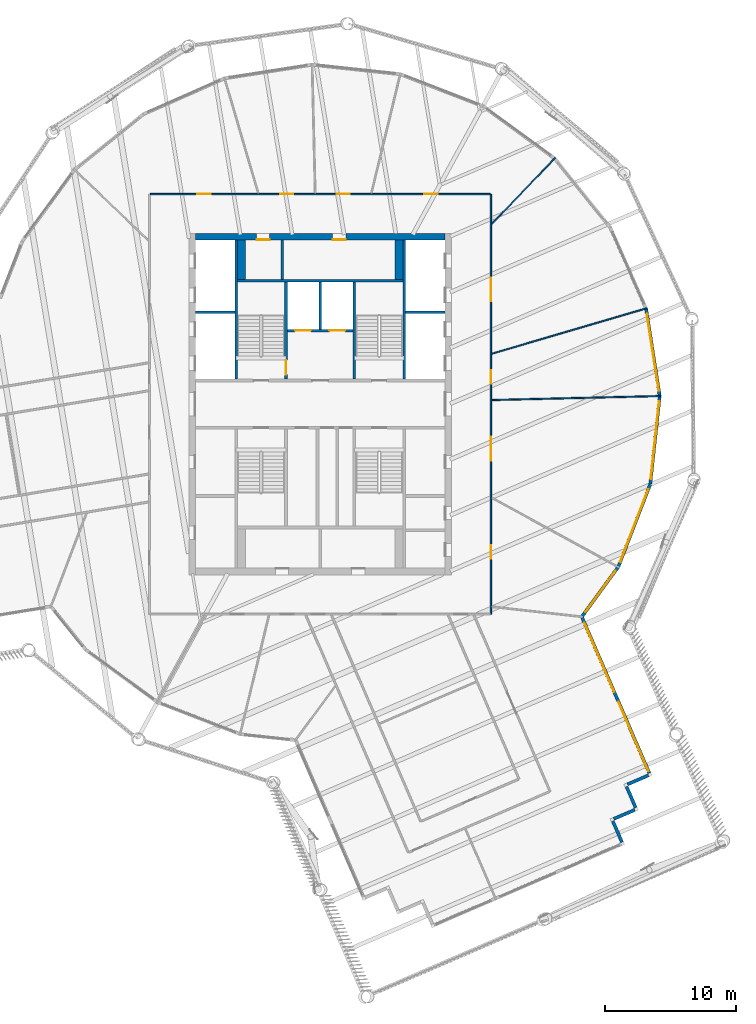
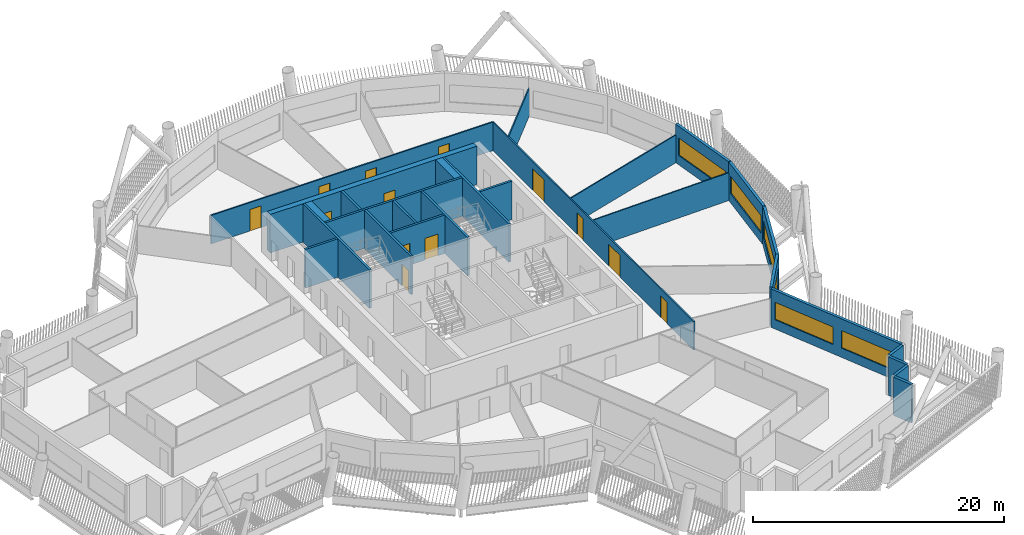
# One storey, part 6 of 23: 27 walls, 13 doors, 6 windows, 19 openings.
"""IFC4 building model written with IfcOpenShell, lengths in metres."""

import ifcopenshell
import ifcopenshell.guid

model = None  # the IFC model being written
_history = None  # IfcOwnerHistory: only IFC2X3 demands one
_inside = {}  # id of a spatial element -> (the spatial element, [elements in it])
_under = {}  # id of a project, library or spatial element -> (it, [spatial elements below it])
_declared = {}  # id of a project -> (the project, [libraries it declares])
_typed = {}  # id of a type object -> (the type object, [elements of that type])
_made_of = {}  # id of a material, layer set ... -> (it, [elements and type objects made of it])


def new_model(schema):
    """Start an empty IFC model of exactly this schema.

    Asked for "IFC4X3", IfcOpenShell would pick the latest addendum, in which some entities
    have other attributes; the version numbers below select the first issue.
    IFC2X3 requires an IfcOwnerHistory on every rooted entity: one is made here for all.
    """
    global model, _history
    if schema == "IFC4X3":
        model = ifcopenshell.file(schema_version=(4, 3, 0, 0))
    else:
        model = ifcopenshell.file(schema=schema)
    _inside.clear()
    _under.clear()
    _declared.clear()
    _typed.clear()
    _made_of.clear()
    _history = None
    if model.schema == "IFC2X3":
        org = make("IfcOrganization", Name="unknown")
        user = make(
            "IfcPersonAndOrganization",
            ThePerson=make("IfcPerson", FamilyName="unknown"),
            TheOrganization=org,
        )
        app = make(
            "IfcApplication",
            ApplicationDeveloper=org,
            Version="unknown",
            ApplicationFullName="unknown",
            ApplicationIdentifier="unknown",
        )
        _history = make(
            "IfcOwnerHistory",
            OwningUser=user,
            OwningApplication=app,
            ChangeAction="ADDED",
            CreationDate=0,
        )
    return model


def make(cls, **values):
    """One entity of the class cls with the attributes given. An attribute that is None is left unset."""
    return model.create_entity(
        cls, **{name: value for name, value in values.items() if value is not None}
    )


def rooted(cls, **values):
    """An entity with a GlobalId (a new one), such as an element, a storey or a relation."""
    return make(cls, GlobalId=ifcopenshell.guid.new(), OwnerHistory=_history, **values)


def si_unit(unit_type, name, prefix=None):
    """IfcSIUnit, for example si_unit("LENGTHUNIT", "METRE", prefix="MILLI")."""
    return make("IfcSIUnit", UnitType=unit_type, Prefix=prefix, Name=name)


def assignment(units):
    """IfcUnitAssignment: the units of a project."""
    return None if units is None else make("IfcUnitAssignment", Units=units)


def point(xyz):
    """IfcCartesianPoint."""
    return None if xyz is None else make("IfcCartesianPoint", Coordinates=xyz)


def direction(xyz):
    """IfcDirection."""
    return None if xyz is None else make("IfcDirection", DirectionRatios=xyz)


def frame(location, z_axis=None, x_axis=None):
    """IfcAxis2Placement3D, a coordinate frame: its origin and axes. An axis left out is left unset."""
    return make(
        "IfcAxis2Placement3D",
        Location=point(location),
        Axis=direction(z_axis),
        RefDirection=direction(x_axis),
    )


def frame_2d(location, x_axis=None):
    """IfcAxis2Placement2D, a coordinate frame in the plane: its origin and x axis."""
    return make(
        "IfcAxis2Placement2D", Location=point(location), RefDirection=direction(x_axis)
    )


def origin():
    """The frame at (0, 0, 0) with its axes left unset."""
    return frame((0.0, 0.0, 0.0))


def place(relative_to, where):
    """IfcLocalPlacement: puts the frame where relative to a parent placement (None: the world)."""
    return make(
        "IfcLocalPlacement", PlacementRelTo=relative_to, RelativePlacement=where
    )


def context(
    kind, dimensions, precision=None, world=None, true_north=None, identifier=None
):
    """IfcGeometricRepresentationContext, for example the 3D "Model" context."""
    return make(
        "IfcGeometricRepresentationContext",
        ContextIdentifier=identifier,
        ContextType=kind,
        CoordinateSpaceDimension=dimensions,
        Precision=precision,
        WorldCoordinateSystem=world,
        TrueNorth=true_north,
    )


def subcontext(parent, identifier, kind, view, scale=None):
    """IfcGeometricRepresentationSubContext, for example "Body" below "Model"."""
    return make(
        "IfcGeometricRepresentationSubContext",
        ContextIdentifier=identifier,
        ContextType=kind,
        ParentContext=parent,
        TargetScale=scale,
        TargetView=view,
    )


def project(units=None, contexts=None):
    """IfcProject with its units and contexts."""
    return rooted(
        "IfcProject",
        Name="project",
        RepresentationContexts=contexts,
        UnitsInContext=assignment(units),
    )


def spatial(cls, under=None, at=None, **own):
    """A site, building, storey or space (cls), placed at a placement, below another one or the project."""
    s = rooted(cls, ObjectPlacement=at, **own)
    if under is not None:
        _under.setdefault(under.id(), (under, []))[1].append(s)
    return s


def profile(cls, at=None, kind="AREA", **sizes):
    """A parametric profile (cls). Its sizes go by their IFC names, for example OverallWidth=200.0."""
    return make(cls, ProfileType=kind, Position=at, **sizes)


def rectangle(**sizes):
    """IfcRectangleProfileDef."""
    return profile("IfcRectangleProfileDef", **sizes)


def extrude(swept, where, along, depth):
    """IfcExtrudedAreaSolid: the profile swept, set in the frame where, extruded along a direction by depth."""
    return make(
        "IfcExtrudedAreaSolid",
        SweptArea=swept,
        Position=where,
        ExtrudedDirection=direction(along),
        Depth=depth,
    )


def shape(context_of_items, identifier, shape_type, items):
    """IfcShapeRepresentation: the items that make up one representation, for example the "Body"."""
    return make(
        "IfcShapeRepresentation",
        ContextOfItems=context_of_items,
        RepresentationIdentifier=identifier,
        RepresentationType=shape_type,
        Items=items,
    )


def material(Name=None, Category=None):
    """IfcMaterial."""
    return make("IfcMaterial", Name=Name, Category=Category)


def layer(
    of_material, thickness, ventilated=None, Name=None, Category=None, Priority=None
):
    """IfcMaterialLayer: one layer of a wall or slab, of a material (None: an air gap)."""
    return make(
        "IfcMaterialLayer",
        Material=of_material,
        LayerThickness=thickness,
        IsVentilated=ventilated,
        Name=Name,
        Category=Category,
        Priority=Priority,
    )


def layer_set(layers, Name=None):
    """IfcMaterialLayerSet."""
    return make("IfcMaterialLayerSet", MaterialLayers=layers, LayerSetName=Name)


def made_of(thing, what):
    """Note that an element or type object is made of a material, layer set ...; save() writes the relation."""
    if what is not None:
        _made_of.setdefault(what.id(), (what, []))[1].append(thing)
    return thing


def type_object(cls, material=None, **own):
    """A type object (cls), such as IfcWallType, which elements share."""
    return made_of(rooted(cls, **own), material)


def element(
    cls,
    number,
    at=None,
    inside=None,
    cuts=None,
    type_object=None,
    material=None,
    context=None,
    identifier="Body",
    shape_type=None,
    held_by="IfcProductDefinitionShape",
    body=None,
    shapes=None,
    **own,
):
    """One element of the class cls, such as IfcWall. Its Tag is "e" and its number.

    at: its placement. inside: the storey or other place that contains it. cuts: it is an
    opening in that element (IfcRelVoidsElement). A single representation is given by context,
    identifier, shape_type and body (its items); several are given by shapes. held_by: the class
    of the entity that holds the representations. save() writes the other relations.
    """
    e = rooted(cls, Tag="e%d" % number, ObjectPlacement=at, **own)
    if body is not None:
        shapes = [shape(context, identifier, shape_type, body)]
    if shapes is not None:
        e.Representation = make(held_by, Representations=shapes)
    if inside is not None:
        _inside.setdefault(inside.id(), (inside, []))[1].append(e)
    if cuts is not None:
        rooted(
            "IfcRelVoidsElement", RelatingBuildingElement=cuts, RelatedOpeningElement=e
        )
    if type_object is not None:
        _typed.setdefault(type_object.id(), (type_object, []))[1].append(e)
    return made_of(e, material)


def fill(opening, filler):
    """IfcRelFillsElement: the door or window that sits in an opening."""
    return rooted(
        "IfcRelFillsElement",
        RelatingOpeningElement=opening,
        RelatedBuildingElement=filler,
    )


def aggregate(whole, parts):
    """IfcRelAggregates: a whole, such as a stair, and the parts it consists of."""
    return rooted("IfcRelAggregates", RelatingObject=whole, RelatedObjects=parts)


def save(model, path):
    """Write the relations noted so far, then the file.

    IfcRelAggregates (storeys below a building ...), IfcRelContainedInSpatialStructure (elements
    in a storey), IfcRelDefinesByType, IfcRelAssociatesMaterial and IfcRelDeclares: one each for
    every whole, place, type object, material and project.
    """
    for whole, parts in _under.values():
        aggregate(whole, parts)
    for where, things in _inside.values():
        rooted(
            "IfcRelContainedInSpatialStructure",
            RelatedElements=things,
            RelatingStructure=where,
        )
    for kind, things in _typed.values():
        rooted("IfcRelDefinesByType", RelatedObjects=things, RelatingType=kind)
    for what, things in _made_of.values():
        rooted("IfcRelAssociatesMaterial", RelatedObjects=things, RelatingMaterial=what)
    for by, libraries in _declared.values():
        rooted("IfcRelDeclares", RelatingContext=by, RelatedDefinitions=libraries)
    model.write(path)


model = new_model("IFC4")

# Units and contexts
model_context = context("Model", 3, precision=1e-05, world=origin(), true_north=direction((0.0, 1.0)))
body_context = subcontext(model_context, "Body", "Model", "MODEL_VIEW")
ifc_project = project(units=[si_unit("LENGTHUNIT", "METRE"), si_unit("AREAUNIT", "SQUARE_METRE"), si_unit("VOLUMEUNIT", "CUBIC_METRE"), si_unit("PLANEANGLEUNIT", "RADIAN"), si_unit("MASSUNIT", "GRAM", prefix="KILO")], contexts=[model_context])

# Site, building, storey
site_placement = place(None, origin())
site = spatial("IfcSite", under=ifc_project, at=site_placement, CompositionType="ELEMENT")
building_placement = place(site_placement, origin())
building = spatial("IfcBuilding", under=site, at=building_placement, Name="Tarsis Ring Headquarters", CompositionType="ELEMENT")
storey_placement = place(building_placement, frame((0.0, 0.0, 323.60009765625)))
storey = spatial("IfcBuildingStorey", under=building, at=storey_placement, Name="L76", CompositionType="ELEMENT", Elevation=323.60009765625)

# Wall
ifc_material_1 = material(Name="Blockwork", Category="masonry")
ifc_layer_1 = layer(ifc_material_1, 0.199951171875)
ifc_layer_set_1 = layer_set([ifc_layer_1], Name="Core blockwork wall 200")
wall_type_1 = type_object("IfcWallType", Name="Core blockwork wall 200", PredefinedType="PARTITIONING", material=ifc_layer_set_1)
wall_1_placement = place(storey_placement, frame((-2.89990234375, 9.5, 0.0), z_axis=(0.0, 0.0, 1.0), x_axis=(0.0, 1.0, 0.0)))
element("IfcWall", 1, at=wall_1_placement, inside=storey, type_object=wall_type_1, Name="Core partition ND1", PredefinedType="PARTITIONING", context=body_context, shape_type="SweptSolid", body=[
    extrude(rectangle(XDim=3.0, YDim=0.199951171875, at=frame_2d((1.5, 0.0))), origin(), (0.0, 0.0, 1.0), 3.739990234375),
])

# Wall, openings, doors
ifc_material_2 = material(Name="Concrete C50/60", Category="concrete")
ifc_layer_2 = layer(ifc_material_2, 0.5)
ifc_layer_set_2 = layer_set([ifc_layer_2], Name="Core wall 500 C50/60")
wall_type_2 = type_object("IfcWallType", Name="Core wall 500 C50/60", PredefinedType="SHEAR", material=ifc_layer_set_2)
wall_2_placement = place(storey_placement, frame((-9.5, 12.75, 0.0), z_axis=(0.0, 0.0, 1.0), x_axis=(1.0, 0.0, 0.0)))
wall_2 = element("IfcWall", 2, at=wall_2_placement, inside=storey, type_object=wall_type_2, Name="Core wall ON", PredefinedType="SHEAR", context=body_context, shape_type="SweptSolid", body=[
    extrude(rectangle(XDim=19.0, YDim=0.5, at=frame_2d((9.5, 0.0))), origin(), (0.0, 0.0, 1.0), 3.739990234375),
])
opening_1_placement = place(wall_2_placement, frame((4.64990234375, 0.0, 0.0)))
opening_1 = element("IfcOpeningElement", 3, at=opening_1_placement, cuts=wall_2, Name="Opening L76-C16", PredefinedType="OPENING", context=body_context, shape_type="SweptSolid", body=[
    extrude(rectangle(XDim=1.0, YDim=2.10009765625, at=frame_2d((0.5, 1.050048828125))), frame((0.0, 0.260009765625, 0.0), z_axis=(0.0, -1.0, 0.0), x_axis=(1.0, 0.0, 0.0)), (0.0, 0.0, 1.0), 0.52001953125),
])
opening_2_placement = place(wall_2_placement, frame((10.449951171875, 0.0, 0.0)))
opening_2 = element("IfcOpeningElement", 4, at=opening_2_placement, cuts=wall_2, Name="Opening L76-C17", PredefinedType="OPENING", context=body_context, shape_type="SweptSolid", body=[
    extrude(rectangle(XDim=1.0, YDim=2.10009765625, at=frame_2d((0.5, 1.050048828125))), frame((0.0, 0.260009765625, 0.0), z_axis=(0.0, -1.0, 0.0), x_axis=(1.0, 0.0, 0.0)), (0.0, 0.0, 1.0), 0.52001953125),
])
ifc_material_3 = material(Name="Steel S355", Category="steel")
door_type_1 = type_object("IfcDoorType", Name="Core room door 1000x2100", OperationType="SINGLE_SWING_LEFT", PredefinedType="DOOR", material=ifc_material_3)
door_1_placement = place(opening_1_placement, origin())
door_1 = element("IfcDoor", 5, at=door_1_placement, inside=storey, type_object=door_type_1, Name="Core room door L76", OperationType="SINGLE_SWING_LEFT", OverallHeight=2.10009765625, OverallWidth=1.0, PredefinedType="DOOR", context=body_context, shape_type="SweptSolid", body=[
    extrude(rectangle(XDim=1.0, YDim=2.10009765625, at=frame_2d((0.5, 1.050048828125))), frame((0.0, -0.2001953125, 0.0), z_axis=(0.0, -1.0, 0.0), x_axis=(1.0, 0.0, 0.0)), (0.0, 0.0, 1.0), 0.050048828125),
])
fill(opening_1, door_1)
door_2_placement = place(opening_2_placement, origin())
door_2 = element("IfcDoor", 6, at=door_2_placement, inside=storey, type_object=door_type_1, Name="Core room door L76", OperationType="SINGLE_SWING_LEFT", OverallHeight=2.10009765625, OverallWidth=1.0, PredefinedType="DOOR", context=body_context, shape_type="SweptSolid", body=[
    extrude(rectangle(XDim=1.0, YDim=2.10009765625, at=frame_2d((0.5, 1.050048828125))), frame((0.0, -0.2001953125, 0.0), z_axis=(0.0, -1.0, 0.0), x_axis=(1.0, 0.0, 0.0)), (0.0, 0.0, 1.0), 0.050048828125),
])
fill(opening_2, door_2)

# Walls
ifc_material_4 = material(Name="Gypsum board on steel studs", Category="steel")
ifc_layer_3 = layer(ifc_material_4, 0.10009765625)
ifc_layer_set_3 = layer_set([ifc_layer_3], Name="FL partition 100 unrated")
wall_type_3 = type_object("IfcWallType", Name="FL partition 100 unrated", PredefinedType="PARTITIONING", material=ifc_layer_set_3)
wall_3_placement = place(storey_placement, frame((13.070068359375, 0.310302734375, 0.0), z_axis=(0.0, 0.0, 1.0), x_axis=(0.999718100948, 0.023742759686, 0.0)))
element("IfcWall", 7, at=wall_3_placement, inside=storey, type_object=wall_type_3, Name="Partition PW3", PredefinedType="PARTITIONING", context=body_context, shape_type="SweptSolid", body=[
    extrude(rectangle(XDim=12.8740234375, YDim=0.10009765625, at=frame_2d((6.43701171875, 0.0))), origin(), (0.0, 0.0, 1.0), 2.699951171875),
])
wall_4_placement = place(storey_placement, frame((13.067138671875, 3.8359375, 0.0), z_axis=(0.0, 0.0, 1.0), x_axis=(0.959508844946, 0.281678498418, 0.0)))
element("IfcWall", 8, at=wall_4_placement, inside=storey, type_object=wall_type_3, Name="Partition PW3", PredefinedType="PARTITIONING", context=body_context, shape_type="SweptSolid", body=[
    extrude(rectangle(XDim=12.329345703125, YDim=0.10009765625, at=frame_2d((6.16455078125, 0.0))), origin(), (0.0, 0.0, 1.0), 2.699951171875),
])
wall_5_placement = place(storey_placement, frame((13.089599609375, 13.726318359375, 0.0), z_axis=(0.0, 0.0, 1.0), x_axis=(0.690120489889, 0.723694486255, 0.0)))
element("IfcWall", 9, at=wall_5_placement, inside=storey, type_object=wall_type_3, Name="Partition PW3", PredefinedType="PARTITIONING", context=body_context, shape_type="SweptSolid", body=[
    extrude(rectangle(XDim=6.98095703125, YDim=0.10009765625, at=frame_2d((3.490478515625, 0.0))), origin(), (0.0, 0.0, 1.0), 2.699951171875),
])

# Wall, openings, doors
ifc_layer_4 = layer(ifc_material_4, 0.125)
ifc_layer_set_4 = layer_set([ifc_layer_4], Name="FL partition 125 EI 60 H2770")
wall_type_4 = type_object("IfcWallType", Name="FL partition 125 EI 60 H2770", PredefinedType="PARTITIONING", material=ifc_layer_set_4)
wall_6_placement = place(storey_placement, frame((13.0, -16.0, 0.0), z_axis=(0.0, 0.0, 1.0), x_axis=(0.0, 1.0, 0.0)))
wall_6 = element("IfcWall", 10, at=wall_6_placement, inside=storey, type_object=wall_type_4, Name="Partition PW1", PredefinedType="PARTITIONING", context=body_context, shape_type="SweptSolid", body=[
    extrude(rectangle(XDim=32.0, YDim=0.125, at=frame_2d((16.0, 0.0))), origin(), (0.0, 0.0, 1.0), 2.77001953125),
])
opening_3_placement = place(wall_6_placement, frame((23.82421875, 0.0, 0.0)))
opening_3 = element("IfcOpeningElement", 11, at=opening_3_placement, cuts=wall_6, Name="Opening D76.08", PredefinedType="OPENING", context=body_context, shape_type="SweptSolid", body=[
    extrude(rectangle(XDim=1.800048828125, YDim=2.10009765625, at=frame_2d((0.89990234375, 1.050048828125))), frame((0.0, 0.072509765625, 0.0), z_axis=(0.0, -1.0, 0.0), x_axis=(1.0, 0.0, 0.0)), (0.0, 0.0, 1.0), 0.14501953125),
])
opening_4_placement = place(wall_6_placement, frame((17.5625, 0.0, 0.0)))
opening_4 = element("IfcOpeningElement", 12, at=opening_4_placement, cuts=wall_6, Name="Opening D76.09", PredefinedType="OPENING", context=body_context, shape_type="SweptSolid", body=[
    extrude(rectangle(XDim=1.0, YDim=2.10009765625, at=frame_2d((0.5, 1.050048828125))), frame((0.0, 0.072509765625, 0.0), z_axis=(0.0, -1.0, 0.0), x_axis=(1.0, 0.0, 0.0)), (0.0, 0.0, 1.0), 0.14501953125),
])
opening_5_placement = place(wall_6_placement, frame((11.70458984375, 0.0, 0.0)))
opening_5 = element("IfcOpeningElement", 13, at=opening_5_placement, cuts=wall_6, Name="Opening D76.10", PredefinedType="OPENING", context=body_context, shape_type="SweptSolid", body=[
    extrude(rectangle(XDim=1.800048828125, YDim=2.10009765625, at=frame_2d((0.89990234375, 1.050048828125))), frame((0.0, 0.072509765625, 0.0), z_axis=(0.0, -1.0, 0.0), x_axis=(1.0, 0.0, 0.0)), (0.0, 0.0, 1.0), 0.14501953125),
])
opening_6_placement = place(wall_6_placement, frame((4.237548828125, 0.0, 0.0)))
opening_6 = element("IfcOpeningElement", 14, at=opening_6_placement, cuts=wall_6, Name="Opening D76.11", PredefinedType="OPENING", context=body_context, shape_type="SweptSolid", body=[
    extrude(rectangle(XDim=1.0, YDim=2.10009765625, at=frame_2d((0.5, 1.050048828125))), frame((0.0, 0.072509765625, 0.0), z_axis=(0.0, -1.0, 0.0), x_axis=(1.0, 0.0, 0.0)), (0.0, 0.0, 1.0), 0.14501953125),
])
ifc_material_5 = material(Name="Fire-rated timber door leaf in steel frame", Category="steel")
door_type_2 = type_object("IfcDoorType", Name="FL door FD60-1000", OperationType="NOTDEFINED", PredefinedType="DOOR", material=ifc_material_5)
door_3_placement = place(opening_4_placement, origin())
door_3 = element("IfcDoor", 15, at=door_3_placement, inside=storey, type_object=door_type_2, Name="Door D76.09", OperationType="SINGLE_SWING_LEFT", OverallHeight=2.10009765625, OverallWidth=1.0, PredefinedType="DOOR", context=body_context, shape_type="SweptSolid", body=[
    extrude(rectangle(XDim=1.0, YDim=2.10009765625, at=frame_2d((0.5, 1.050048828125))), frame((0.0, 0.02490234375, 0.0), z_axis=(0.0, -1.0, 0.0), x_axis=(1.0, 0.0, 0.0)), (0.0, 0.0, 1.0), 0.050048828125),
])
fill(opening_4, door_3)
door_4_placement = place(opening_6_placement, origin())
door_4 = element("IfcDoor", 16, at=door_4_placement, inside=storey, type_object=door_type_2, Name="Door D76.11", OperationType="SINGLE_SWING_LEFT", OverallHeight=2.10009765625, OverallWidth=1.0, PredefinedType="DOOR", context=body_context, shape_type="SweptSolid", body=[
    extrude(rectangle(XDim=1.0, YDim=2.10009765625, at=frame_2d((0.5, 1.050048828125))), frame((0.0, 0.02490234375, 0.0), z_axis=(0.0, -1.0, 0.0), x_axis=(1.0, 0.0, 0.0)), (0.0, 0.0, 1.0), 0.050048828125),
])
fill(opening_6, door_4)
door_type_3 = type_object("IfcDoorType", Name="FL door FD60-1800", OperationType="DOUBLE_DOOR_SINGLE_SWING", PredefinedType="DOOR", material=ifc_material_5)
door_5_placement = place(opening_3_placement, origin())
door_5 = element("IfcDoor", 17, at=door_5_placement, inside=storey, type_object=door_type_3, Name="Door D76.08", OperationType="DOUBLE_DOOR_SINGLE_SWING", OverallHeight=2.10009765625, OverallWidth=1.800048828125, PredefinedType="DOOR", context=body_context, shape_type="SweptSolid", body=[
    extrude(rectangle(XDim=1.800048828125, YDim=2.10009765625, at=frame_2d((0.89990234375, 1.050048828125))), frame((0.0, 0.02490234375, 0.0), z_axis=(0.0, -1.0, 0.0), x_axis=(1.0, 0.0, 0.0)), (0.0, 0.0, 1.0), 0.050048828125),
])
fill(opening_3, door_5)
door_6_placement = place(opening_5_placement, origin())
door_6 = element("IfcDoor", 18, at=door_6_placement, inside=storey, type_object=door_type_3, Name="Door D76.10", OperationType="DOUBLE_DOOR_SINGLE_SWING", OverallHeight=2.10009765625, OverallWidth=1.800048828125, PredefinedType="DOOR", context=body_context, shape_type="SweptSolid", body=[
    extrude(rectangle(XDim=1.800048828125, YDim=2.10009765625, at=frame_2d((0.89990234375, 1.050048828125))), frame((0.0, 0.02490234375, 0.0), z_axis=(0.0, -1.0, 0.0), x_axis=(1.0, 0.0, 0.0)), (0.0, 0.0, 1.0), 0.050048828125),
])
fill(opening_5, door_6)

wall_7_placement = place(storey_placement, frame((-12.93994140625, 16.0, 0.0), z_axis=(0.0, 0.0, 1.0), x_axis=(1.0, 0.0, 0.0)))
wall_7 = element("IfcWall", 19, at=wall_7_placement, inside=storey, type_object=wall_type_4, Name="Partition PW1", PredefinedType="PARTITIONING", context=body_context, shape_type="SweptSolid", body=[
    extrude(rectangle(XDim=25.8798828125, YDim=0.125, at=frame_2d((12.93994140625, 0.0))), origin(), (0.0, 0.0, 1.0), 2.77001953125),
])
opening_7_placement = place(wall_7_placement, frame((3.591552734375, 0.0, 0.0)))
opening_7 = element("IfcOpeningElement", 20, at=opening_7_placement, cuts=wall_7, Name="Opening D76.04", PredefinedType="OPENING", context=body_context, shape_type="SweptSolid", body=[
    extrude(rectangle(XDim=1.0, YDim=2.10009765625, at=frame_2d((0.5, 1.050048828125))), frame((0.0, 0.072509765625, 0.0), z_axis=(0.0, -1.0, 0.0), x_axis=(1.0, 0.0, 0.0)), (0.0, 0.0, 1.0), 0.14501953125),
])
opening_8_placement = place(wall_7_placement, frame((9.901611328125, 0.0, 0.0)))
opening_8 = element("IfcOpeningElement", 21, at=opening_8_placement, cuts=wall_7, Name="Opening D76.05", PredefinedType="OPENING", context=body_context, shape_type="SweptSolid", body=[
    extrude(rectangle(XDim=1.0, YDim=2.10009765625, at=frame_2d((0.5, 1.050048828125))), frame((0.0, 0.072509765625, 0.0), z_axis=(0.0, -1.0, 0.0), x_axis=(1.0, 0.0, 0.0)), (0.0, 0.0, 1.0), 0.14501953125),
])
opening_9_placement = place(wall_7_placement, frame((14.19140625, 0.0, 0.0)))
opening_9 = element("IfcOpeningElement", 22, at=opening_9_placement, cuts=wall_7, Name="Opening D76.06", PredefinedType="OPENING", context=body_context, shape_type="SweptSolid", body=[
    extrude(rectangle(XDim=1.0, YDim=2.10009765625, at=frame_2d((0.5, 1.050048828125))), frame((0.0, 0.072509765625, 0.0), z_axis=(0.0, -1.0, 0.0), x_axis=(1.0, 0.0, 0.0)), (0.0, 0.0, 1.0), 0.14501953125),
])
opening_10_placement = place(wall_7_placement, frame((20.88134765625, 0.0, 0.0)))
opening_10 = element("IfcOpeningElement", 23, at=opening_10_placement, cuts=wall_7, Name="Opening D76.07", PredefinedType="OPENING", context=body_context, shape_type="SweptSolid", body=[
    extrude(rectangle(XDim=1.0, YDim=2.10009765625, at=frame_2d((0.5, 1.050048828125))), frame((0.0, 0.072509765625, 0.0), z_axis=(0.0, -1.0, 0.0), x_axis=(1.0, 0.0, 0.0)), (0.0, 0.0, 1.0), 0.14501953125),
])
door_7_placement = place(opening_7_placement, origin())
door_7 = element("IfcDoor", 24, at=door_7_placement, inside=storey, type_object=door_type_2, Name="Door D76.04", OperationType="SINGLE_SWING_RIGHT", OverallHeight=2.10009765625, OverallWidth=1.0, PredefinedType="DOOR", context=body_context, shape_type="SweptSolid", body=[
    extrude(rectangle(XDim=1.0, YDim=2.10009765625, at=frame_2d((0.5, 1.050048828125))), frame((0.0, 0.02490234375, 0.0), z_axis=(0.0, -1.0, 0.0), x_axis=(1.0, 0.0, 0.0)), (0.0, 0.0, 1.0), 0.050048828125),
])
fill(opening_7, door_7)
door_8_placement = place(opening_8_placement, origin())
door_8 = element("IfcDoor", 25, at=door_8_placement, inside=storey, type_object=door_type_2, Name="Door D76.05", OperationType="SINGLE_SWING_LEFT", OverallHeight=2.10009765625, OverallWidth=1.0, PredefinedType="DOOR", context=body_context, shape_type="SweptSolid", body=[
    extrude(rectangle(XDim=1.0, YDim=2.10009765625, at=frame_2d((0.5, 1.050048828125))), frame((0.0, 0.02490234375, 0.0), z_axis=(0.0, -1.0, 0.0), x_axis=(1.0, 0.0, 0.0)), (0.0, 0.0, 1.0), 0.050048828125),
])
fill(opening_8, door_8)
door_9_placement = place(opening_9_placement, origin())
door_9 = element("IfcDoor", 26, at=door_9_placement, inside=storey, type_object=door_type_2, Name="Door D76.06", OperationType="SINGLE_SWING_RIGHT", OverallHeight=2.10009765625, OverallWidth=1.0, PredefinedType="DOOR", context=body_context, shape_type="SweptSolid", body=[
    extrude(rectangle(XDim=1.0, YDim=2.10009765625, at=frame_2d((0.5, 1.050048828125))), frame((0.0, 0.02490234375, 0.0), z_axis=(0.0, -1.0, 0.0), x_axis=(1.0, 0.0, 0.0)), (0.0, 0.0, 1.0), 0.050048828125),
])
fill(opening_9, door_9)
door_10_placement = place(opening_10_placement, origin())
door_10 = element("IfcDoor", 27, at=door_10_placement, inside=storey, type_object=door_type_2, Name="Door D76.07", OperationType="SINGLE_SWING_LEFT", OverallHeight=2.10009765625, OverallWidth=1.0, PredefinedType="DOOR", context=body_context, shape_type="SweptSolid", body=[
    extrude(rectangle(XDim=1.0, YDim=2.10009765625, at=frame_2d((0.5, 1.050048828125))), frame((0.0, 0.02490234375, 0.0), z_axis=(0.0, -1.0, 0.0), x_axis=(1.0, 0.0, 0.0)), (0.0, 0.0, 1.0), 0.050048828125),
])
fill(opening_10, door_10)

# Walls
ifc_material_6 = material(Name="Terracotta clad insulated panel wall", Category="masonry")
ifc_layer_5 = layer(ifc_material_6, 0.25)
ifc_layer_set_5 = layer_set([ifc_layer_5], Name="Facade wall terracotta panel 250")
wall_type_5 = type_object("IfcWallType", Name="Facade wall terracotta panel 250", PredefinedType="STANDARD", material=ifc_layer_set_5)
for number, where, z_axis, x_axis, name in (
    (28, (22.99072265625, -33.369384765625, 0.0), (0.0, 0.0, 1.0), (-0.396460065858, 0.918051968126, 0.0), "External wall L76-12"),
    (29, (22.362060546875, -31.598388671875, 0.0), (0.0, 0.0, 1.0), (0.918030037163, 0.396510845838, 0.0), "External wall L76-13"),
    (30, (24.03369140625, -30.740234375, 0.0), (0.0, 0.0, 1.0), (-0.396460065858, 0.918051968126, 0.0), "External wall L76-14"),
    (31, (23.405029296875, -28.96923828125, 0.0), (0.0, 0.0, 1.0), (0.918030037163, 0.396510845838, 0.0), "External wall L76-15"),
):
    element("IfcWall", number, at=place(storey_placement, frame(where, z_axis=z_axis, x_axis=x_axis)), inside=storey, type_object=wall_type_5, Name=name, PredefinedType="STANDARD", context=body_context, shape_type="SweptSolid", body=[
        extrude(rectangle(XDim=1.75, YDim=0.25, at=frame_2d((0.875, 0.0))), origin(), (0.0, 0.0, 1.0), 3.739990234375),
    ])

# Wall, openings, windows
wall_8_placement = place(storey_placement, frame((25.07666015625, -28.111083984375, 0.0), z_axis=(0.0, 0.0, 1.0), x_axis=(-0.396509963577, 0.918030418224, 0.0)))
wall_8 = element("IfcWall", 32, at=wall_8_placement, inside=storey, type_object=wall_type_5, Name="External wall L76-16", PredefinedType="STANDARD", context=body_context, shape_type="SweptSolid", body=[
    extrude(rectangle(XDim=12.9013671875, YDim=0.25, at=frame_2d((6.45068359375, 0.0))), origin(), (0.0, 0.0, 1.0), 3.739990234375),
])
opening_11_placement = place(wall_8_placement, frame((0.162841796875, 0.0, 0.89990234375)))
opening_11 = element("IfcOpeningElement", 33, at=opening_11_placement, cuts=wall_8, Name="Opening WN06", PredefinedType="OPENING", context=body_context, shape_type="SweptSolid", body=[
    extrude(rectangle(XDim=5.75, YDim=1.699951171875, at=frame_2d((2.875, 0.85009765625))), frame((0.0, 0.135009765625, 0.0), z_axis=(0.0, -1.0, 0.0), x_axis=(1.0, 0.0, 0.0)), (0.0, 0.0, 1.0), 0.27001953125),
])
opening_12_placement = place(wall_8_placement, frame((6.738525390625, 0.0, 0.89990234375)))
opening_12 = element("IfcOpeningElement", 34, at=opening_12_placement, cuts=wall_8, Name="Opening WN06", PredefinedType="OPENING", context=body_context, shape_type="SweptSolid", body=[
    extrude(rectangle(XDim=5.75, YDim=1.699951171875, at=frame_2d((2.875, 0.85009765625))), frame((0.0, 0.135009765625, 0.0), z_axis=(0.0, -1.0, 0.0), x_axis=(1.0, 0.0, 0.0)), (0.0, 0.0, 1.0), 0.27001953125),
])
ifc_material_7 = material(Name="Aluminium framed double glazing", Category="aluminium")
window_type_1 = type_object("IfcWindowType", Name="Facade window 5750 x 1700", PartitioningType="SINGLE_PANEL", PredefinedType="WINDOW", material=ifc_material_7)
window_1_placement = place(opening_11_placement, origin())
window_1 = element("IfcWindow", 35, at=window_1_placement, inside=storey, type_object=window_type_1, Name="Window L76-16.1", OverallHeight=1.699951171875, OverallWidth=5.75, PartitioningType="SINGLE_PANEL", PredefinedType="WINDOW", context=body_context, shape_type="SweptSolid", body=[
    extrude(rectangle(XDim=5.75, YDim=1.699951171875, at=frame_2d((2.875, 0.85009765625))), frame((0.0, 0.030029296875, 0.0), z_axis=(0.0, -1.0, 0.0), x_axis=(1.0, 0.0, 0.0)), (0.0, 0.0, 1.0), 0.06005859375),
])
fill(opening_11, window_1)
window_2_placement = place(opening_12_placement, origin())
window_2 = element("IfcWindow", 36, at=window_2_placement, inside=storey, type_object=window_type_1, Name="Window L76-16.2", OverallHeight=1.699951171875, OverallWidth=5.75, PartitioningType="SINGLE_PANEL", PredefinedType="WINDOW", context=body_context, shape_type="SweptSolid", body=[
    extrude(rectangle(XDim=5.75, YDim=1.699951171875, at=frame_2d((2.875, 0.85009765625))), frame((0.0, 0.030029296875, 0.0), z_axis=(0.0, -1.0, 0.0), x_axis=(1.0, 0.0, 0.0)), (0.0, 0.0, 1.0), 0.06005859375),
])
fill(opening_12, window_2)

# Wall, opening, window
wall_9_placement = place(storey_placement, frame((19.97509765625, -16.14404296875, 0.0), z_axis=(0.0, 0.0, 1.0), x_axis=(0.58975807519, 0.807579972974, 0.0)))
wall_9 = element("IfcWall", 37, at=wall_9_placement, inside=storey, type_object=wall_type_5, Name="External wall L76-17", PredefinedType="STANDARD", context=body_context, shape_type="SweptSolid", body=[
    extrude(rectangle(XDim=4.617919921875, YDim=0.25, at=frame_2d((2.30908203125, 0.0))), origin(), (0.0, 0.0, 1.0), 3.739990234375),
])
opening_13_placement = place(wall_9_placement, frame((0.400390625, 0.0, 0.89990234375)))
opening_13 = element("IfcOpeningElement", 38, at=opening_13_placement, cuts=wall_9, Name="Opening WN02", PredefinedType="OPENING", context=body_context, shape_type="SweptSolid", body=[
    extrude(rectangle(XDim=3.85009765625, YDim=1.699951171875, at=frame_2d((1.925048828125, 0.85009765625))), frame((0.0, 0.135009765625, 0.0), z_axis=(0.0, -1.0, 0.0), x_axis=(1.0, 0.0, 0.0)), (0.0, 0.0, 1.0), 0.27001953125),
])
window_type_2 = type_object("IfcWindowType", Name="Facade window 3850 x 1700", PartitioningType="SINGLE_PANEL", PredefinedType="WINDOW", material=ifc_material_7)
window_3_placement = place(opening_13_placement, origin())
window_3 = element("IfcWindow", 39, at=window_3_placement, inside=storey, type_object=window_type_2, Name="Window L76-17.1", OverallHeight=1.699951171875, OverallWidth=3.85009765625, PartitioningType="SINGLE_PANEL", PredefinedType="WINDOW", context=body_context, shape_type="SweptSolid", body=[
    extrude(rectangle(XDim=3.85009765625, YDim=1.699951171875, at=frame_2d((1.925048828125, 0.85009765625))), frame((0.0, 0.030029296875, 0.0), z_axis=(0.0, -1.0, 0.0), x_axis=(1.0, 0.0, 0.0)), (0.0, 0.0, 1.0), 0.06005859375),
])
fill(opening_13, window_3)

wall_10_placement = place(storey_placement, frame((22.714111328125, -12.38623046875, 0.0), z_axis=(0.0, 0.0, 1.0), x_axis=(0.360638452064, 0.932705691466, 0.0)))
wall_10 = element("IfcWall", 40, at=wall_10_placement, inside=storey, type_object=wall_type_5, Name="External wall L76-18", PredefinedType="STANDARD", context=body_context, shape_type="SweptSolid", body=[
    extrude(rectangle(XDim=6.7216796875, YDim=0.25, at=frame_2d((3.36083984375, 0.0))), origin(), (0.0, 0.0, 1.0), 3.739990234375),
])
opening_14_placement = place(wall_10_placement, frame((0.3857421875, 0.0, 0.89990234375)))
opening_14 = element("IfcOpeningElement", 41, at=opening_14_placement, cuts=wall_10, Name="Opening WN07", PredefinedType="OPENING", context=body_context, shape_type="SweptSolid", body=[
    extrude(rectangle(XDim=5.949951171875, YDim=1.699951171875, at=frame_2d((2.97509765625, 0.85009765625))), frame((0.0, 0.135009765625, 0.0), z_axis=(0.0, -1.0, 0.0), x_axis=(1.0, 0.0, 0.0)), (0.0, 0.0, 1.0), 0.27001953125),
])
window_type_3 = type_object("IfcWindowType", Name="Facade window 5950 x 1700", PartitioningType="SINGLE_PANEL", PredefinedType="WINDOW", material=ifc_material_7)
window_4_placement = place(opening_14_placement, origin())
window_4 = element("IfcWindow", 42, at=window_4_placement, inside=storey, type_object=window_type_3, Name="Window L76-18.1", OverallHeight=1.699951171875, OverallWidth=5.949951171875, PartitioningType="SINGLE_PANEL", PredefinedType="WINDOW", context=body_context, shape_type="SweptSolid", body=[
    extrude(rectangle(XDim=5.949951171875, YDim=1.699951171875, at=frame_2d((2.97509765625, 0.85009765625))), frame((0.0, 0.030029296875, 0.0), z_axis=(0.0, -1.0, 0.0), x_axis=(1.0, 0.0, 0.0)), (0.0, 0.0, 1.0), 0.06005859375),
])
fill(opening_14, window_4)

wall_11_placement = place(storey_placement, frame((25.14599609375, -6.085205078125, 0.0), z_axis=(0.0, 0.0, 1.0), x_axis=(0.106970451873, 0.994262200039, 0.0)))
wall_11 = element("IfcWall", 43, at=wall_11_placement, inside=storey, type_object=wall_type_5, Name="External wall L76-19", PredefinedType="STANDARD", context=body_context, shape_type="SweptSolid", body=[
    extrude(rectangle(XDim=6.721435546875, YDim=0.25, at=frame_2d((3.36083984375, 0.0))), origin(), (0.0, 0.0, 1.0), 3.739990234375),
])
opening_15_placement = place(wall_11_placement, frame((0.3857421875, 0.0, 0.89990234375)))
opening_15 = element("IfcOpeningElement", 44, at=opening_15_placement, cuts=wall_11, Name="Opening WN07", PredefinedType="OPENING", context=body_context, shape_type="SweptSolid", body=[
    extrude(rectangle(XDim=5.949951171875, YDim=1.699951171875, at=frame_2d((2.97509765625, 0.85009765625))), frame((0.0, 0.135009765625, 0.0), z_axis=(0.0, -1.0, 0.0), x_axis=(1.0, 0.0, 0.0)), (0.0, 0.0, 1.0), 0.27001953125),
])
window_5_placement = place(opening_15_placement, origin())
window_5 = element("IfcWindow", 45, at=window_5_placement, inside=storey, type_object=window_type_3, Name="Window L76-19.1", OverallHeight=1.699951171875, OverallWidth=5.949951171875, PartitioningType="SINGLE_PANEL", PredefinedType="WINDOW", context=body_context, shape_type="SweptSolid", body=[
    extrude(rectangle(XDim=5.949951171875, YDim=1.699951171875, at=frame_2d((2.97509765625, 0.85009765625))), frame((0.0, 0.030029296875, 0.0), z_axis=(0.0, -1.0, 0.0), x_axis=(1.0, 0.0, 0.0)), (0.0, 0.0, 1.0), 0.06005859375),
])
fill(opening_15, window_5)

wall_12_placement = place(storey_placement, frame((25.864013671875, 0.63037109375, 0.0), z_axis=(0.0, 0.0, 1.0), x_axis=(-0.154005684572, 0.988069961652, 0.0)))
wall_12 = element("IfcWall", 46, at=wall_12_placement, inside=storey, type_object=wall_type_5, Name="External wall L76-20", PredefinedType="STANDARD", context=body_context, shape_type="SweptSolid", body=[
    extrude(rectangle(XDim=6.721435546875, YDim=0.25, at=frame_2d((3.36083984375, 0.0))), origin(), (0.0, 0.0, 1.0), 3.739990234375),
])
opening_16_placement = place(wall_12_placement, frame((0.3857421875, 0.0, 0.89990234375)))
opening_16 = element("IfcOpeningElement", 47, at=opening_16_placement, cuts=wall_12, Name="Opening WN07", PredefinedType="OPENING", context=body_context, shape_type="SweptSolid", body=[
    extrude(rectangle(XDim=5.949951171875, YDim=1.699951171875, at=frame_2d((2.97509765625, 0.85009765625))), frame((0.0, 0.135009765625, 0.0), z_axis=(0.0, -1.0, 0.0), x_axis=(1.0, 0.0, 0.0)), (0.0, 0.0, 1.0), 0.27001953125),
])
window_6_placement = place(opening_16_placement, origin())
window_6 = element("IfcWindow", 48, at=window_6_placement, inside=storey, type_object=window_type_3, Name="Window L76-20.1", OverallHeight=1.699951171875, OverallWidth=5.949951171875, PartitioningType="SINGLE_PANEL", PredefinedType="WINDOW", context=body_context, shape_type="SweptSolid", body=[
    extrude(rectangle(XDim=5.949951171875, YDim=1.699951171875, at=frame_2d((2.97509765625, 0.85009765625))), frame((0.0, 0.030029296875, 0.0), z_axis=(0.0, -1.0, 0.0), x_axis=(1.0, 0.0, 0.0)), (0.0, 0.0, 1.0), 0.06005859375),
])
fill(opening_16, window_6)

# Walls
ifc_material_8 = material(Name="Concrete C32/40", Category="concrete")
ifc_layer_6 = layer(ifc_material_8, 0.60009765625)
ifc_layer_set_6 = layer_set([ifc_layer_6], Name="Shaft end wall 600 C32/40")
wall_type_6 = type_object("IfcWallType", Name="Shaft end wall 600 C32/40", PredefinedType="SOLIDWALL", material=ifc_layer_set_6)
for number, where, z_axis, x_axis, name in (
    (49, (-6.0, 9.5, 0.0), (0.0, 0.0, 1.0), (0.0, 1.0, 0.0), "Core shaft wall NNE1"),
    (50, (6.0, 9.5, 0.0), (0.0, 0.0, 1.0), (0.0, 1.0, 0.0), "Core shaft wall NNE2"),
):
    element("IfcWall", number, at=place(storey_placement, frame(where, z_axis=z_axis, x_axis=x_axis)), inside=storey, type_object=wall_type_6, Name=name, PredefinedType="SOLIDWALL", context=body_context, shape_type="SweptSolid", body=[
        extrude(rectangle(XDim=3.0, YDim=0.60009765625, at=frame_2d((1.5, 0.0))), origin(), (0.0, 0.0, 1.0), 3.739990234375),
    ])
ifc_layer_7 = layer(ifc_material_8, 0.199951171875)
ifc_layer_set_7 = layer_set([ifc_layer_7], Name="Shaft wall 200 C32/40")
wall_type_7 = type_object("IfcWallType", Name="Shaft wall 200 C32/40", PredefinedType="SOLIDWALL", material=ifc_layer_set_7)
for number, where, z_axis, x_axis, name in (
    (51, (-6.39990234375, 1.89990234375, 0.0), (0.0, 0.0, 1.0), (0.0, 1.0, 0.0), "Core shaft wall WB2"),
    (52, (6.39990234375, 1.89990234375, 0.0), (0.0, 0.0, 1.0), (0.0, 1.0, 0.0), "Core shaft wall EB2"),
):
    element("IfcWall", number, at=place(storey_placement, frame(where, z_axis=z_axis, x_axis=x_axis)), inside=storey, type_object=wall_type_7, Name=name, PredefinedType="SOLIDWALL", context=body_context, shape_type="SweptSolid", body=[
        extrude(rectangle(XDim=10.60009765625, YDim=0.199951171875, at=frame_2d((5.300048828125, 0.0))), origin(), (0.0, 0.0, 1.0), 3.739990234375),
    ])
wall_13_placement = place(storey_placement, frame((-6.300048828125, 9.39990234375, 0.0), z_axis=(0.0, 0.0, 1.0), x_axis=(1.0, 0.0, 0.0)))
element("IfcWall", 53, at=wall_13_placement, inside=storey, type_object=wall_type_7, Name="Core shaft wall NB", PredefinedType="SOLIDWALL", context=body_context, shape_type="SweptSolid", body=[
    extrude(rectangle(XDim=12.60009765625, YDim=0.199951171875, at=frame_2d((6.300048828125, 0.0))), origin(), (0.0, 0.0, 1.0), 3.739990234375),
])

# Wall, opening, door
wall_14_placement = place(storey_placement, frame((-2.60009765625, 1.89990234375, 0.0), z_axis=(0.0, 0.0, 1.0), x_axis=(0.0, 1.0, 0.0)))
wall_14 = element("IfcWall", 54, at=wall_14_placement, inside=storey, type_object=wall_type_7, Name="Core shaft wall SW1", PredefinedType="SOLIDWALL", context=body_context, shape_type="SweptSolid", body=[
    extrude(rectangle(XDim=7.400146484375, YDim=0.199951171875, at=frame_2d((3.7001953125, 0.0))), origin(), (0.0, 0.0, 1.0), 3.739990234375),
])
opening_17_placement = place(wall_14_placement, frame((0.35009765625, 0.0, 0.0)))
opening_17 = element("IfcOpeningElement", 55, at=opening_17_placement, cuts=wall_14, Name="Opening L76-C28", PredefinedType="OPENING", context=body_context, shape_type="SweptSolid", body=[
    extrude(rectangle(XDim=1.10009765625, YDim=2.10009765625, at=frame_2d((0.550048828125, 1.050048828125))), frame((0.0, 0.10986328125, 0.0), z_axis=(0.0, -1.0, 0.0), x_axis=(1.0, 0.0, 0.0)), (0.0, 0.0, 1.0), 0.219970703125),
])
door_type_4 = type_object("IfcDoorType", Name="Stair door 1100x2100", OperationType="SINGLE_SWING_LEFT", PredefinedType="DOOR", material=ifc_material_3)
door_11_placement = place(opening_17_placement, origin())
door_11 = element("IfcDoor", 56, at=door_11_placement, inside=storey, type_object=door_type_4, Name="Stair door L76", OperationType="SINGLE_SWING_LEFT", OverallHeight=2.10009765625, OverallWidth=1.10009765625, PredefinedType="DOOR", context=body_context, shape_type="SweptSolid", body=[
    extrude(rectangle(XDim=1.10009765625, YDim=2.10009765625, at=frame_2d((0.550048828125, 1.050048828125))), frame((0.0, 0.02490234375, 0.0), z_axis=(0.0, -1.0, 0.0), x_axis=(1.0, 0.0, 0.0)), (0.0, 0.0, 1.0), 0.050048828125),
])
fill(opening_17, door_11)

# Wall
wall_15_placement = place(storey_placement, frame((2.60009765625, 1.89990234375, 0.0), z_axis=(0.0, 0.0, 1.0), x_axis=(0.0, 1.0, 0.0)))
element("IfcWall", 57, at=wall_15_placement, inside=storey, type_object=wall_type_7, Name="Core shaft wall SW2", PredefinedType="SOLIDWALL", context=body_context, shape_type="SweptSolid", body=[
    extrude(rectangle(XDim=7.400146484375, YDim=0.199951171875, at=frame_2d((3.7001953125, 0.0))), origin(), (0.0, 0.0, 1.0), 3.739990234375),
])

# Wall, openings, doors
wall_16_placement = place(storey_placement, frame((-2.5, 5.60009765625, 0.0), z_axis=(0.0, 0.0, 1.0), x_axis=(1.0, 0.0, 0.0)))
wall_16 = element("IfcWall", 58, at=wall_16_placement, inside=storey, type_object=wall_type_7, Name="Core shaft wall FFN", PredefinedType="SOLIDWALL", context=body_context, shape_type="SweptSolid", body=[
    extrude(rectangle(XDim=5.0, YDim=0.199951171875, at=frame_2d((2.5, 0.0))), origin(), (0.0, 0.0, 1.0), 3.739990234375),
])
opening_18_placement = place(wall_16_placement, frame((0.60009765625, 0.0, 0.0)))
opening_18 = element("IfcOpeningElement", 59, at=opening_18_placement, cuts=wall_16, Name="Opening LDF-1", PredefinedType="OPENING", context=body_context, shape_type="SweptSolid", body=[
    extrude(rectangle(XDim=1.199951171875, YDim=2.10009765625, at=frame_2d((0.60009765625, 1.050048828125))), frame((0.0, 0.10986328125, 0.0), z_axis=(0.0, -1.0, 0.0), x_axis=(1.0, 0.0, 0.0)), (0.0, 0.0, 1.0), 0.219970703125),
])
opening_19_placement = place(wall_16_placement, frame((3.199951171875, 0.0, 0.0)))
opening_19 = element("IfcOpeningElement", 60, at=opening_19_placement, cuts=wall_16, Name="Opening LDF-2", PredefinedType="OPENING", context=body_context, shape_type="SweptSolid", body=[
    extrude(rectangle(XDim=1.199951171875, YDim=2.10009765625, at=frame_2d((0.60009765625, 1.050048828125))), frame((0.0, 0.10986328125, 0.0), z_axis=(0.0, -1.0, 0.0), x_axis=(1.0, 0.0, 0.0)), (0.0, 0.0, 1.0), 0.219970703125),
])
door_type_5 = type_object("IfcDoorType", Name="Firefighting landing door 1200x2100", OperationType="SLIDING_TO_LEFT", PredefinedType="DOOR", material=ifc_material_3)
door_12_placement = place(opening_18_placement, origin())
door_12 = element("IfcDoor", 61, at=door_12_placement, inside=storey, type_object=door_type_5, Name="Landing door FF1 L76", OperationType="SLIDING_TO_LEFT", OverallHeight=2.10009765625, OverallWidth=1.199951171875, PredefinedType="DOOR", context=body_context, shape_type="SweptSolid", body=[
    extrude(rectangle(XDim=1.199951171875, YDim=2.10009765625, at=frame_2d((0.60009765625, 1.050048828125))), frame((0.0, 0.02490234375, 0.0), z_axis=(0.0, -1.0, 0.0), x_axis=(1.0, 0.0, 0.0)), (0.0, 0.0, 1.0), 0.050048828125),
])
fill(opening_18, door_12)
door_13_placement = place(opening_19_placement, origin())
door_13 = element("IfcDoor", 62, at=door_13_placement, inside=storey, type_object=door_type_5, Name="Landing door FF2 L76", OperationType="SLIDING_TO_LEFT", OverallHeight=2.10009765625, OverallWidth=1.199951171875, PredefinedType="DOOR", context=body_context, shape_type="SweptSolid", body=[
    extrude(rectangle(XDim=1.199951171875, YDim=2.10009765625, at=frame_2d((0.60009765625, 1.050048828125))), frame((0.0, 0.02490234375, 0.0), z_axis=(0.0, -1.0, 0.0), x_axis=(1.0, 0.0, 0.0)), (0.0, 0.0, 1.0), 0.050048828125),
])
fill(opening_19, door_13)

# Walls
wall_17_placement = place(storey_placement, frame((0.0, 5.699951171875, 0.0), z_axis=(0.0, 0.0, 1.0), x_axis=(0.0, 1.0, 0.0)))
element("IfcWall", 63, at=wall_17_placement, inside=storey, type_object=wall_type_7, Name="Core shaft wall FFD", PredefinedType="SOLIDWALL", context=body_context, shape_type="SweptSolid", body=[
    extrude(rectangle(XDim=3.60009765625, YDim=0.199951171875, at=frame_2d((1.800048828125, 0.0))), origin(), (0.0, 0.0, 1.0), 3.739990234375),
])
for number, where, z_axis, x_axis, name in (
    (64, (-9.5, 7.0, 0.0), (0.0, 0.0, 1.0), (1.0, 0.0, 0.0), "Core shaft wall WD6"),
    (65, (6.5, 7.0, 0.0), (0.0, 0.0, 1.0), (1.0, 0.0, 0.0), "Core shaft wall ED6"),
):
    element("IfcWall", number, at=place(storey_placement, frame(where, z_axis=z_axis, x_axis=x_axis)), inside=storey, type_object=wall_type_7, Name=name, PredefinedType="SOLIDWALL", context=body_context, shape_type="SweptSolid", body=[
        extrude(rectangle(XDim=3.0, YDim=0.199951171875, at=frame_2d((1.5, 0.0))), origin(), (0.0, 0.0, 1.0), 3.739990234375),
    ])

save(model, "model.ifc")
